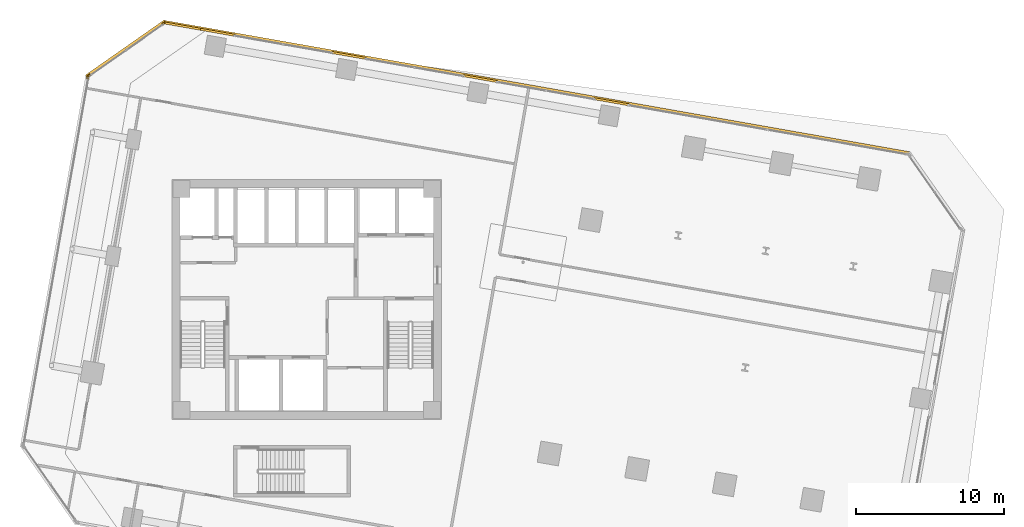
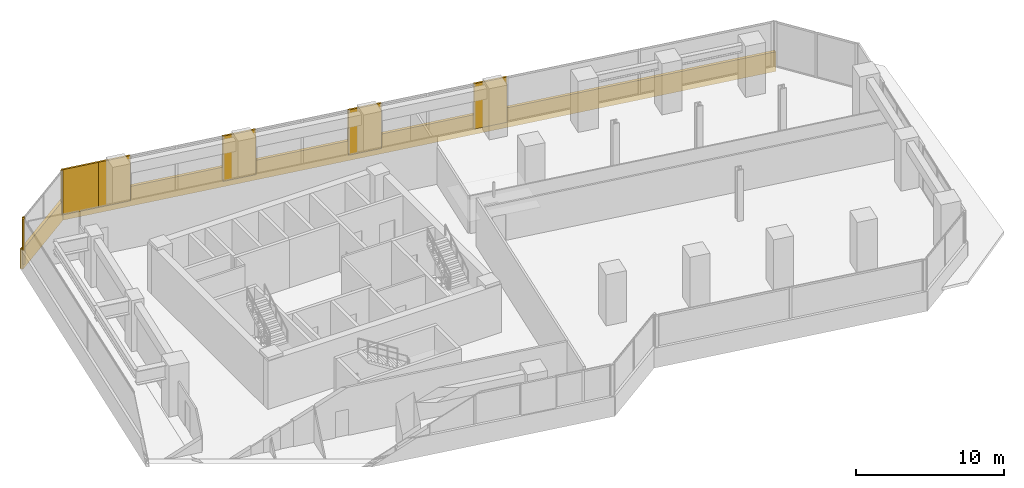
# One storey, part 24 of 24: 10 coverings.
"""IFC4 building model written with IfcOpenShell, lengths in metres."""

from ifc_helpers import new_model, si_unit, direction, frame, origin, origin_2d, place, context, subcontext, project, spatial, rectangle, extrude, source, transform, mapped, material, layer, layer_set, type_object, element, save


model = new_model("IFC4")

# Units and contexts
model_context = context("Model", 3, precision=1e-05, world=origin(), true_north=direction((0.0, 1.0)))
body_context = subcontext(model_context, "Body", "Model", "MODEL_VIEW")
ifc_project = project(units=[si_unit("LENGTHUNIT", "METRE"), si_unit("AREAUNIT", "SQUARE_METRE"), si_unit("VOLUMEUNIT", "CUBIC_METRE"), si_unit("PLANEANGLEUNIT", "RADIAN"), si_unit("MASSUNIT", "GRAM", prefix="KILO")], contexts=[model_context])

# Site, building, storey
site_placement = place(None, origin())
site = spatial("IfcSite", under=ifc_project, at=site_placement, CompositionType="ELEMENT")
building_placement = place(site_placement, origin())
building = spatial("IfcBuilding", under=site, at=building_placement, Name="Torre Montelarca", CompositionType="ELEMENT")
storey_placement = place(building_placement, frame((0.0, 0.0, 74.800048828125)))
storey = spatial("IfcBuildingStorey", under=building, at=storey_placement, Name="L16", CompositionType="ELEMENT", Elevation=74.800048828125)

# Coverings
ifc_material = material(Name="Bush-hammered warm white precast concrete C45/55", Category="concrete")
ifc_layer = layer(ifc_material, 0.139892578125, Name="Bush-hammered warm white precast concrete C45/55", Category="concrete")
ifc_layer_set = layer_set([ifc_layer], Name="Bush-hammered warm white precast concrete C45/55")
covering_type = type_object("IfcCoveringType", Name="COV-TRAY-CLAD", PredefinedType="CLADDING", material=ifc_layer_set)
shared_shape_1 = source(origin(), body_context, "Body", "SweptSolid", [
    extrude(rectangle(XDim=6.48388671875, YDim=0.219970703125, at=origin_2d()), origin(), (0.0, 0.0, 1.0), 1.6201171875),
])
covering_1_placement = place(storey_placement, frame((5.77001953125, 48.917236328125, -0.4501953125), z_axis=(0.0, 0.0, 1.0), x_axis=(-0.819151043208, -0.57357786604, 0.0)))
element("IfcCovering", 1, at=covering_1_placement, inside=storey, type_object=covering_type, Name="L16 Architectural White Spandrel Tray Band TRYBOT-09", PredefinedType="CLADDING", context=body_context, shape_type="MappedRepresentation", body=[
    mapped(shared_shape_1, transform((0.0, 0.0, 0.0), scale=1.0)),
])
shared_shape_2 = source(origin(), body_context, "Body", "SweptSolid", [
    extrude(rectangle(XDim=51.219970703125, YDim=0.219970703125, at=origin_2d()), origin(), (0.0, 0.0, 1.0), 1.6201171875),
])
covering_2_placement = place(storey_placement, frame((33.515869140625, 46.30078125, -0.4501953125), z_axis=(0.0, 0.0, 1.0), x_axis=(-0.984807753012, 0.173648177667, 0.0)))
element("IfcCovering", 2, at=covering_2_placement, inside=storey, type_object=covering_type, Name="L16 Architectural White Spandrel Tray Band TRYBOT-08", PredefinedType="CLADDING", context=body_context, shape_type="MappedRepresentation", body=[
    mapped(shared_shape_2, transform((0.0, 0.0, 0.0), scale=1.0)),
])
shared_shape_3 = source(origin(), body_context, "Body", "SweptSolid", [
    extrude(rectangle(XDim=0.199951171875, YDim=0.139892578125, at=origin_2d()), origin(), (0.0, 0.0, 1.0), 3.719970703125),
])
for number, where, z_axis, x_axis, name in (
    (3, (8.31591796875, 50.626708984375, 0.0), (0.0, 0.0, 1.0), (-0.819159051786, -0.573566428478, 0.0), "L16 Architectural Column Pier Cladding E09-1"),
    (4, (3.292724609375, 47.109619140625, 0.0), (0.0, 0.0, 1.0), (-0.819159051786, -0.573566428478, 0.0), "L16 Architectural Column Pier Cladding E09-2"),
    (5, (3.214599609375, 46.987060546875, 0.0), (0.0, 0.0, 1.0), (-0.173648177667, -0.984807753012, 0.0), "L16 Architectural Column Pier Cladding E10-1"),
):
    element("IfcCovering", number, at=place(storey_placement, frame(where, z_axis=z_axis, x_axis=x_axis)), inside=storey, type_object=covering_type, Name=name, PredefinedType="CLADDING", context=body_context, shape_type="MappedRepresentation", body=[
        mapped(shared_shape_3, transform((0.0, 0.0, 0.0), scale=1.0)),
    ])
shared_shape_4 = source(origin(), body_context, "Body", "SweptSolid", [
    extrude(rectangle(XDim=2.360107421875, YDim=0.139892578125, at=origin_2d()), origin(), (0.0, 0.0, 1.0), 3.719970703125),
])
for number, where, z_axis, x_axis, name in (
    (6, (38.5771484375, 45.347412109375, 0.0), (0.0, 0.0, 1.0), (-0.984808056084, 0.173646458853, 0.0), "L16 Architectural Column Pier Cladding E08-2"),
    (7, (29.7138671875, 46.91015625, 0.0), (0.0, 0.0, 1.0), (-0.984808056084, 0.173646458853, 0.0), "L16 Architectural Column Pier Cladding E08-3"),
    (8, (20.8505859375, 48.472900390625, 0.0), (0.0, 0.0, 1.0), (-0.984808056084, 0.173646458853, 0.0), "L16 Architectural Column Pier Cladding E08-4"),
    (9, (11.9873046875, 50.035888671875, 0.0), (0.0, 0.0, 1.0), (-0.984808056084, 0.173646458853, 0.0), "L16 Architectural Column Pier Cladding E08-5"),
):
    element("IfcCovering", number, at=place(storey_placement, frame(where, z_axis=z_axis, x_axis=x_axis)), inside=storey, type_object=covering_type, Name=name, PredefinedType="CLADDING", context=body_context, shape_type="MappedRepresentation", body=[
        mapped(shared_shape_4, transform((0.0, 0.0, 0.0), scale=1.0)),
    ])
shared_shape_5 = source(origin(), body_context, "Body", "SweptSolid", [
    extrude(rectangle(XDim=2.604248046875, YDim=0.139892578125, at=origin_2d()), origin(), (0.0, 0.0, 1.0), 3.719970703125),
])
covering_3_placement = place(storey_placement, frame((9.6416015625, 50.449462890625, 0.0), z_axis=(0.0, 0.0, 1.0), x_axis=(-0.984808056084, 0.173646458853, 0.0)))
element("IfcCovering", 10, at=covering_3_placement, inside=storey, type_object=covering_type, Name="L16 Architectural Column Pier Cladding E08-6", PredefinedType="CLADDING", context=body_context, shape_type="MappedRepresentation", body=[
    mapped(shared_shape_5, transform((0.0, 0.0, 0.0), scale=1.0)),
])

save(model, "model.ifc")
